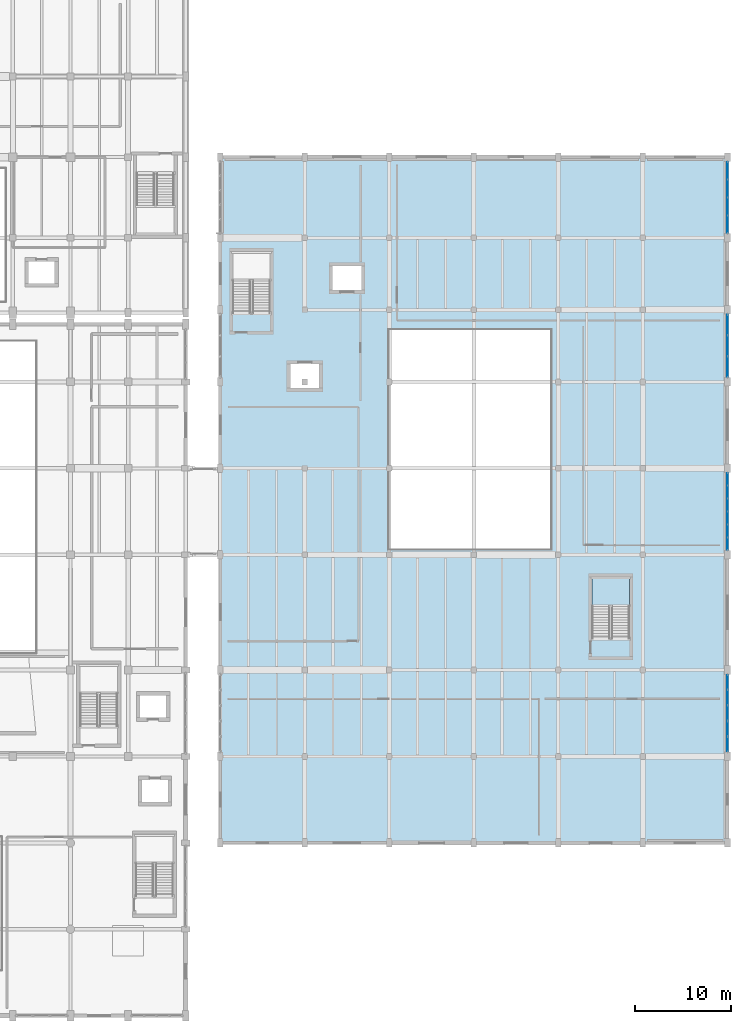
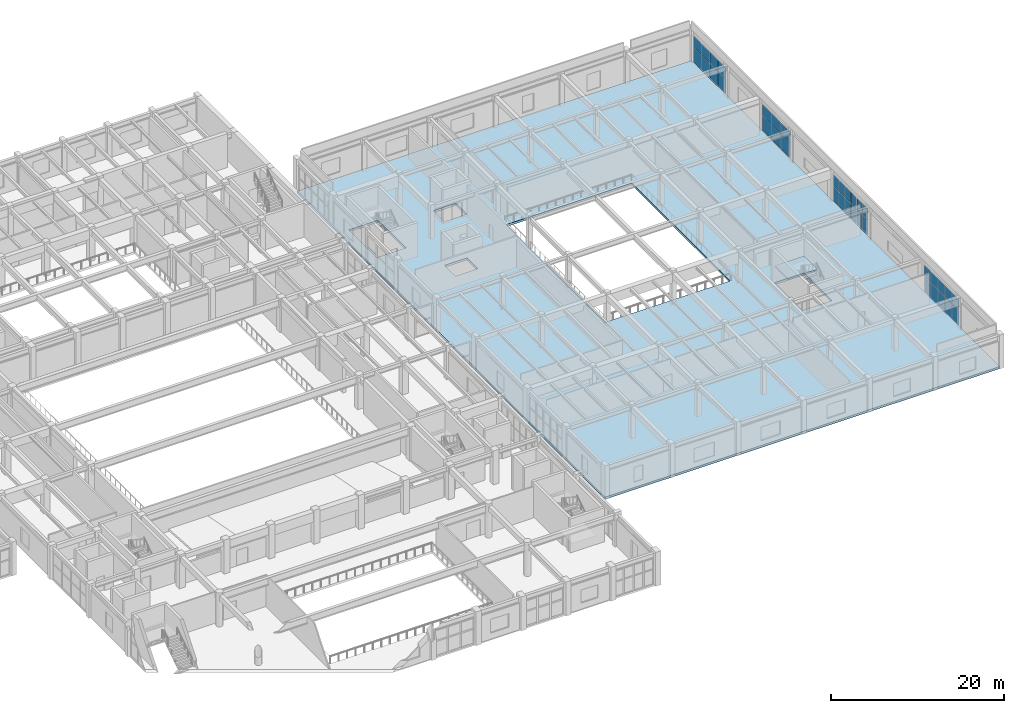
# One storey, part 66 of 96: 36 plates, 2 slabs, 5 elements without a shape of their own.
"""IFC4 building model written with IfcOpenShell, lengths in metres."""

from ifc_helpers import new_model, si_unit, direction, frame, origin, origin_2d, place, context, subcontext, project, spatial, polyline, rectangle, outline, extrude, material, layer, layer_set, type_object, element, aggregate, save


model = new_model("IFC4")

# Units and contexts
model_context = context("Model", 3, precision=1e-05, world=origin(), true_north=direction((0.0, 1.0)))
body_context = subcontext(model_context, "Body", "Model", "MODEL_VIEW")
ifc_project = project(units=[si_unit("LENGTHUNIT", "METRE"), si_unit("AREAUNIT", "SQUARE_METRE"), si_unit("VOLUMEUNIT", "CUBIC_METRE"), si_unit("PLANEANGLEUNIT", "RADIAN"), si_unit("MASSUNIT", "GRAM", prefix="KILO")], contexts=[model_context])

# Site, building, storey
site_placement = place(None, origin())
site = spatial("IfcSite", under=ifc_project, at=site_placement, CompositionType="ELEMENT")
building_placement = place(site_placement, origin())
building = spatial("IfcBuilding", under=site, at=building_placement, Name="Vaelkrest Opera House", CompositionType="ELEMENT")
storey_placement = place(building_placement, frame((0.0, 0.0, 5.39990234375)))
storey = spatial("IfcBuildingStorey", under=building, at=storey_placement, Name="L01", CompositionType="ELEMENT", Elevation=5.39990234375)

# Curtain wall, plates
ifc_material_1 = material(Name="Dark bronze anodized aluminium", Category="aluminium")
ifc_layer_1 = layer(ifc_material_1, 0.179931640625)
ifc_layer_set_1 = layer_set([ifc_layer_1], Name="Dark bronze anodized aluminium")
curtain_wall_type_1 = type_object("IfcCurtainWallType", Name="CW01", PredefinedType="NOTDEFINED", material=ifc_layer_set_1)
curtain_wall_1_placement = place(storey_placement, origin())
curtain_wall_1 = element("IfcCurtainWall", 1, at=curtain_wall_1_placement, inside=storey, type_object=curtain_wall_type_1, Name="Curtain wall CW-L01-159", PredefinedType="NOTDEFINED")
ifc_material_2 = material(Name="Double low-E insulated glazing", Category="glass")
ifc_layer_2 = layer(ifc_material_2, 0.02587890625)
ifc_layer_set_2 = layer_set([ifc_layer_2], Name="Double low-E insulated glazing")
plate_type_1 = type_object("IfcPlateType", Name="CWP01", PredefinedType="CURTAIN_PANEL", material=ifc_layer_set_2)
plate_1_placement = place(storey_placement, frame((86.39990234375, 0.060302734375, 0.06494140625), z_axis=(0.0, 0.0, 1.0), x_axis=(0.0, -1.0, 0.0)))
plate_1 = element("IfcPlate", 2, at=plate_1_placement, type_object=plate_type_1, Name="CW01 panel 1.1", PredefinedType="CURTAIN_PANEL", context=body_context, shape_type="SweptSolid", body=[
    extrude(rectangle(XDim=1.253173828125, YDim=0.02587890625, at=origin_2d()), origin(), (0.0, 0.0, 1.0), 2.052490234375),
])
plate_2_placement = place(storey_placement, frame((86.39990234375, 0.060302734375, 2.1826171875), z_axis=(0.0, 0.0, 1.0), x_axis=(0.0, -1.0, 0.0)))
plate_2 = element("IfcPlate", 3, at=plate_2_placement, type_object=plate_type_1, Name="CW01 panel 1.2", PredefinedType="CURTAIN_PANEL", context=body_context, shape_type="SweptSolid", body=[
    extrude(rectangle(XDim=1.253173828125, YDim=0.02587890625, at=origin_2d()), origin(), (0.0, 0.0, 1.0), 1.58154296875),
])
plate_3_placement = place(storey_placement, frame((86.39990234375, -1.27392578125, 0.06494140625), z_axis=(0.0, 0.0, 1.0), x_axis=(0.0, -1.0, 0.0)))
plate_3 = element("IfcPlate", 4, at=plate_3_placement, type_object=plate_type_1, Name="CW01 panel 2.1", PredefinedType="CURTAIN_PANEL", context=body_context, shape_type="SweptSolid", body=[
    extrude(rectangle(XDim=1.28564453125, YDim=0.02587890625, at=origin_2d()), origin(), (0.0, 0.0, 1.0), 2.052490234375),
])
plate_4_placement = place(storey_placement, frame((86.39990234375, -1.27392578125, 2.1826171875), z_axis=(0.0, 0.0, 1.0), x_axis=(0.0, -1.0, 0.0)))
plate_4 = element("IfcPlate", 5, at=plate_4_placement, type_object=plate_type_1, Name="CW01 panel 2.2", PredefinedType="CURTAIN_PANEL", context=body_context, shape_type="SweptSolid", body=[
    extrude(rectangle(XDim=1.28564453125, YDim=0.02587890625, at=origin_2d()), origin(), (0.0, 0.0, 1.0), 1.58154296875),
])
plate_5_placement = place(storey_placement, frame((86.39990234375, -2.624755859375, 0.06494140625), z_axis=(0.0, 0.0, 1.0), x_axis=(0.0, -1.0, 0.0)))
plate_5 = element("IfcPlate", 6, at=plate_5_placement, type_object=plate_type_1, Name="CW01 panel 3.1", PredefinedType="CURTAIN_PANEL", context=body_context, shape_type="SweptSolid", body=[
    extrude(rectangle(XDim=1.28564453125, YDim=0.02587890625, at=origin_2d()), origin(), (0.0, 0.0, 1.0), 2.052490234375),
])
plate_6_placement = place(storey_placement, frame((86.39990234375, -2.624755859375, 2.1826171875), z_axis=(0.0, 0.0, 1.0), x_axis=(0.0, -1.0, 0.0)))
plate_6 = element("IfcPlate", 7, at=plate_6_placement, type_object=plate_type_1, Name="CW01 panel 3.2", PredefinedType="CURTAIN_PANEL", context=body_context, shape_type="SweptSolid", body=[
    extrude(rectangle(XDim=1.28564453125, YDim=0.02587890625, at=origin_2d()), origin(), (0.0, 0.0, 1.0), 1.58154296875),
])
plate_7_placement = place(storey_placement, frame((86.39990234375, -3.975341796875, 0.06494140625), z_axis=(0.0, 0.0, 1.0), x_axis=(0.0, -1.0, 0.0)))
plate_7 = element("IfcPlate", 8, at=plate_7_placement, type_object=plate_type_1, Name="CW01 panel 4.1", PredefinedType="CURTAIN_PANEL", context=body_context, shape_type="SweptSolid", body=[
    extrude(rectangle(XDim=1.28564453125, YDim=0.02587890625, at=origin_2d()), origin(), (0.0, 0.0, 1.0), 2.052490234375),
])
plate_8_placement = place(storey_placement, frame((86.39990234375, -3.975341796875, 2.1826171875), z_axis=(0.0, 0.0, 1.0), x_axis=(0.0, -1.0, 0.0)))
plate_8 = element("IfcPlate", 9, at=plate_8_placement, type_object=plate_type_1, Name="CW01 panel 4.2", PredefinedType="CURTAIN_PANEL", context=body_context, shape_type="SweptSolid", body=[
    extrude(rectangle(XDim=1.28564453125, YDim=0.02587890625, at=origin_2d()), origin(), (0.0, 0.0, 1.0), 1.58154296875),
])
plate_9_placement = place(storey_placement, frame((86.39990234375, -5.325927734375, 0.06494140625), z_axis=(0.0, 0.0, 1.0), x_axis=(0.0, -1.0, 0.0)))
plate_9 = element("IfcPlate", 10, at=plate_9_placement, type_object=plate_type_1, Name="CW01 panel 5.1", PredefinedType="CURTAIN_PANEL", context=body_context, shape_type="SweptSolid", body=[
    extrude(rectangle(XDim=1.28564453125, YDim=0.02587890625, at=origin_2d()), origin(), (0.0, 0.0, 1.0), 2.052490234375),
])
plate_10_placement = place(storey_placement, frame((86.39990234375, -5.325927734375, 2.1826171875), z_axis=(0.0, 0.0, 1.0), x_axis=(0.0, -1.0, 0.0)))
plate_10 = element("IfcPlate", 11, at=plate_10_placement, type_object=plate_type_1, Name="CW01 panel 5.2", PredefinedType="CURTAIN_PANEL", context=body_context, shape_type="SweptSolid", body=[
    extrude(rectangle(XDim=1.28564453125, YDim=0.02587890625, at=origin_2d()), origin(), (0.0, 0.0, 1.0), 1.58154296875),
])
plate_11_placement = place(storey_placement, frame((86.39990234375, -6.660400390625, 0.06494140625), z_axis=(0.0, 0.0, 1.0), x_axis=(0.0, -1.0, 0.0)))
plate_11 = element("IfcPlate", 12, at=plate_11_placement, type_object=plate_type_1, Name="CW01 panel 6.1", PredefinedType="CURTAIN_PANEL", context=body_context, shape_type="SweptSolid", body=[
    extrude(rectangle(XDim=1.253173828125, YDim=0.02587890625, at=origin_2d()), origin(), (0.0, 0.0, 1.0), 2.052490234375),
])
plate_12_placement = place(storey_placement, frame((86.39990234375, -6.660400390625, 2.1826171875), z_axis=(0.0, 0.0, 1.0), x_axis=(0.0, -1.0, 0.0)))
plate_12 = element("IfcPlate", 13, at=plate_12_placement, type_object=plate_type_1, Name="CW01 panel 6.2", PredefinedType="CURTAIN_PANEL", context=body_context, shape_type="SweptSolid", body=[
    extrude(rectangle(XDim=1.253173828125, YDim=0.02587890625, at=origin_2d()), origin(), (0.0, 0.0, 1.0), 1.58154296875),
])
aggregate(curtain_wall_1, [plate_1, plate_2, plate_3, plate_4, plate_5, plate_6, plate_7, plate_8, plate_9, plate_10, plate_11, plate_12])

ifc_layer_3 = layer(ifc_material_1, 0.199951171875)
ifc_layer_set_3 = layer_set([ifc_layer_3], Name="Dark bronze anodized aluminium")
curtain_wall_type_2 = type_object("IfcCurtainWallType", Name="CW03", PredefinedType="NOTDEFINED", material=ifc_layer_set_3)
curtain_wall_2_placement = place(storey_placement, origin())
curtain_wall_2 = element("IfcCurtainWall", 14, at=curtain_wall_2_placement, inside=storey, type_object=curtain_wall_type_2, Name="Curtain wall CW-L01-160", PredefinedType="NOTDEFINED")
ifc_layer_4 = layer(ifc_material_2, 0.033935546875)
ifc_layer_set_4 = layer_set([ifc_layer_4], Name="Double low-E insulated glazing")
plate_type_2 = type_object("IfcPlateType", Name="CWP03", PredefinedType="CURTAIN_PANEL", material=ifc_layer_set_4)
plate_13_placement = place(storey_placement, frame((86.39990234375, -21.0771484375, 0.074951171875), z_axis=(0.0, 0.0, 1.0), x_axis=(0.0, -1.0, 0.0)))
plate_13 = element("IfcPlate", 15, at=plate_13_placement, type_object=plate_type_2, Name="CW03 panel 1.1", PredefinedType="CURTAIN_PANEL", context=body_context, shape_type="SweptSolid", body=[
    extrude(rectangle(XDim=1.50830078125, YDim=0.033935546875, at=origin_2d()), origin(), (0.0, 0.0, 1.0), 2.03759765625),
])
plate_14_placement = place(storey_placement, frame((86.39990234375, -21.0771484375, 2.187744140625), z_axis=(0.0, 0.0, 1.0), x_axis=(0.0, -1.0, 0.0)))
plate_14 = element("IfcPlate", 16, at=plate_14_placement, type_object=plate_type_2, Name="CW03 panel 1.2", PredefinedType="CURTAIN_PANEL", context=body_context, shape_type="SweptSolid", body=[
    extrude(rectangle(XDim=1.50830078125, YDim=0.033935546875, at=origin_2d()), origin(), (0.0, 0.0, 1.0), 1.56640625),
])
plate_15_placement = place(storey_placement, frame((86.39990234375, -22.67919921875, 0.074951171875), z_axis=(0.0, 0.0, 1.0), x_axis=(0.0, -1.0, 0.0)))
plate_15 = element("IfcPlate", 17, at=plate_15_placement, type_object=plate_type_2, Name="CW03 panel 2.1", PredefinedType="CURTAIN_PANEL", context=body_context, shape_type="SweptSolid", body=[
    extrude(rectangle(XDim=1.5458984375, YDim=0.033935546875, at=origin_2d()), origin(), (0.0, 0.0, 1.0), 2.03759765625),
])
plate_16_placement = place(storey_placement, frame((86.39990234375, -22.67919921875, 2.187744140625), z_axis=(0.0, 0.0, 1.0), x_axis=(0.0, -1.0, 0.0)))
plate_16 = element("IfcPlate", 18, at=plate_16_placement, type_object=plate_type_2, Name="CW03 panel 2.2", PredefinedType="CURTAIN_PANEL", context=body_context, shape_type="SweptSolid", body=[
    extrude(rectangle(XDim=1.5458984375, YDim=0.033935546875, at=origin_2d()), origin(), (0.0, 0.0, 1.0), 1.56640625),
])
plate_17_placement = place(storey_placement, frame((86.39990234375, -24.300048828125, 0.074951171875), z_axis=(0.0, 0.0, 1.0), x_axis=(0.0, -1.0, 0.0)))
plate_17 = element("IfcPlate", 19, at=plate_17_placement, type_object=plate_type_2, Name="CW03 panel 3.1", PredefinedType="CURTAIN_PANEL", context=body_context, shape_type="SweptSolid", body=[
    extrude(rectangle(XDim=1.5458984375, YDim=0.033935546875, at=origin_2d()), origin(), (0.0, 0.0, 1.0), 2.03759765625),
])
plate_18_placement = place(storey_placement, frame((86.39990234375, -24.300048828125, 2.187744140625), z_axis=(0.0, 0.0, 1.0), x_axis=(0.0, -1.0, 0.0)))
plate_18 = element("IfcPlate", 20, at=plate_18_placement, type_object=plate_type_2, Name="CW03 panel 3.2", PredefinedType="CURTAIN_PANEL", context=body_context, shape_type="SweptSolid", body=[
    extrude(rectangle(XDim=1.5458984375, YDim=0.033935546875, at=origin_2d()), origin(), (0.0, 0.0, 1.0), 1.56640625),
])
plate_19_placement = place(storey_placement, frame((86.39990234375, -25.9208984375, 0.074951171875), z_axis=(0.0, 0.0, 1.0), x_axis=(0.0, -1.0, 0.0)))
plate_19 = element("IfcPlate", 21, at=plate_19_placement, type_object=plate_type_2, Name="CW03 panel 4.1", PredefinedType="CURTAIN_PANEL", context=body_context, shape_type="SweptSolid", body=[
    extrude(rectangle(XDim=1.5458984375, YDim=0.033935546875, at=origin_2d()), origin(), (0.0, 0.0, 1.0), 2.03759765625),
])
plate_20_placement = place(storey_placement, frame((86.39990234375, -25.9208984375, 2.187744140625), z_axis=(0.0, 0.0, 1.0), x_axis=(0.0, -1.0, 0.0)))
plate_20 = element("IfcPlate", 22, at=plate_20_placement, type_object=plate_type_2, Name="CW03 panel 4.2", PredefinedType="CURTAIN_PANEL", context=body_context, shape_type="SweptSolid", body=[
    extrude(rectangle(XDim=1.5458984375, YDim=0.033935546875, at=origin_2d()), origin(), (0.0, 0.0, 1.0), 1.56640625),
])
plate_21_placement = place(storey_placement, frame((86.39990234375, -27.52294921875, 0.074951171875), z_axis=(0.0, 0.0, 1.0), x_axis=(0.0, -1.0, 0.0)))
plate_21 = element("IfcPlate", 23, at=plate_21_placement, type_object=plate_type_2, Name="CW03 panel 5.1", PredefinedType="CURTAIN_PANEL", context=body_context, shape_type="SweptSolid", body=[
    extrude(rectangle(XDim=1.50830078125, YDim=0.033935546875, at=origin_2d()), origin(), (0.0, 0.0, 1.0), 2.03759765625),
])
plate_22_placement = place(storey_placement, frame((86.39990234375, -27.52294921875, 2.187744140625), z_axis=(0.0, 0.0, 1.0), x_axis=(0.0, -1.0, 0.0)))
plate_22 = element("IfcPlate", 24, at=plate_22_placement, type_object=plate_type_2, Name="CW03 panel 5.2", PredefinedType="CURTAIN_PANEL", context=body_context, shape_type="SweptSolid", body=[
    extrude(rectangle(XDim=1.50830078125, YDim=0.033935546875, at=origin_2d()), origin(), (0.0, 0.0, 1.0), 1.56640625),
])
aggregate(curtain_wall_2, [plate_13, plate_14, plate_15, plate_16, plate_17, plate_18, plate_19, plate_20, plate_21, plate_22])

ifc_layer_5 = layer(ifc_material_1, 0.219970703125)
ifc_layer_set_5 = layer_set([ifc_layer_5], Name="Dark bronze anodized aluminium")
curtain_wall_type_3 = type_object("IfcCurtainWallType", Name="CW05", PredefinedType="NOTDEFINED", material=ifc_layer_set_5)
curtain_wall_3_placement = place(storey_placement, origin())
curtain_wall_3 = element("IfcCurtainWall", 25, at=curtain_wall_3_placement, inside=storey, type_object=curtain_wall_type_3, Name="Curtain wall CW-L01-157", PredefinedType="NOTDEFINED")
ifc_layer_6 = layer(ifc_material_2, 0.0419921875)
ifc_layer_set_6 = layer_set([ifc_layer_6], Name="Double low-E insulated glazing")
plate_type_3 = type_object("IfcPlateType", Name="CWP05", PredefinedType="CURTAIN_PANEL", material=ifc_layer_set_6)
plate_23_placement = place(storey_placement, frame((86.39990234375, 32.19775390625, 0.074951171875), z_axis=(0.0, 0.0, 1.0), x_axis=(0.0, -1.0, 0.0)))
plate_23 = element("IfcPlate", 26, at=plate_23_placement, type_object=plate_type_3, Name="CW05 panel 1.1", PredefinedType="CURTAIN_PANEL", context=body_context, shape_type="SweptSolid", body=[
    extrude(rectangle(XDim=1.778564453125, YDim=0.0419921875, at=origin_2d()), origin(), (0.0, 0.0, 1.0), 2.03759765625),
])
plate_24_placement = place(storey_placement, frame((86.39990234375, 32.19775390625, 2.187744140625), z_axis=(0.0, 0.0, 1.0), x_axis=(0.0, -1.0, 0.0)))
plate_24 = element("IfcPlate", 27, at=plate_24_placement, type_object=plate_type_3, Name="CW05 panel 1.2", PredefinedType="CURTAIN_PANEL", context=body_context, shape_type="SweptSolid", body=[
    extrude(rectangle(XDim=1.778564453125, YDim=0.0419921875, at=origin_2d()), origin(), (0.0, 0.0, 1.0), 1.56640625),
])
plate_25_placement = place(storey_placement, frame((86.39990234375, 30.337890625, 0.074951171875), z_axis=(0.0, 0.0, 1.0), x_axis=(0.0, -1.0, 0.0)))
plate_25 = element("IfcPlate", 28, at=plate_25_placement, type_object=plate_type_3, Name="CW05 panel 2.1", PredefinedType="CURTAIN_PANEL", context=body_context, shape_type="SweptSolid", body=[
    extrude(rectangle(XDim=1.81103515625, YDim=0.0419921875, at=origin_2d()), origin(), (0.0, 0.0, 1.0), 2.03759765625),
])
plate_26_placement = place(storey_placement, frame((86.39990234375, 30.337890625, 2.187744140625), z_axis=(0.0, 0.0, 1.0), x_axis=(0.0, -1.0, 0.0)))
plate_26 = element("IfcPlate", 29, at=plate_26_placement, type_object=plate_type_3, Name="CW05 panel 2.2", PredefinedType="CURTAIN_PANEL", context=body_context, shape_type="SweptSolid", body=[
    extrude(rectangle(XDim=1.81103515625, YDim=0.0419921875, at=origin_2d()), origin(), (0.0, 0.0, 1.0), 1.56640625),
])
plate_27_placement = place(storey_placement, frame((86.39990234375, 28.4619140625, 0.074951171875), z_axis=(0.0, 0.0, 1.0), x_axis=(0.0, -1.0, 0.0)))
plate_27 = element("IfcPlate", 30, at=plate_27_placement, type_object=plate_type_3, Name="CW05 panel 3.1", PredefinedType="CURTAIN_PANEL", context=body_context, shape_type="SweptSolid", body=[
    extrude(rectangle(XDim=1.81103515625, YDim=0.0419921875, at=origin_2d()), origin(), (0.0, 0.0, 1.0), 2.03759765625),
])
plate_28_placement = place(storey_placement, frame((86.39990234375, 28.4619140625, 2.187744140625), z_axis=(0.0, 0.0, 1.0), x_axis=(0.0, -1.0, 0.0)))
plate_28 = element("IfcPlate", 31, at=plate_28_placement, type_object=plate_type_3, Name="CW05 panel 3.2", PredefinedType="CURTAIN_PANEL", context=body_context, shape_type="SweptSolid", body=[
    extrude(rectangle(XDim=1.81103515625, YDim=0.0419921875, at=origin_2d()), origin(), (0.0, 0.0, 1.0), 1.56640625),
])
plate_29_placement = place(storey_placement, frame((86.39990234375, 26.602294921875, 0.074951171875), z_axis=(0.0, 0.0, 1.0), x_axis=(0.0, -1.0, 0.0)))
plate_29 = element("IfcPlate", 32, at=plate_29_placement, type_object=plate_type_3, Name="CW05 panel 4.1", PredefinedType="CURTAIN_PANEL", context=body_context, shape_type="SweptSolid", body=[
    extrude(rectangle(XDim=1.778564453125, YDim=0.0419921875, at=origin_2d()), origin(), (0.0, 0.0, 1.0), 2.03759765625),
])
plate_30_placement = place(storey_placement, frame((86.39990234375, 26.602294921875, 2.187744140625), z_axis=(0.0, 0.0, 1.0), x_axis=(0.0, -1.0, 0.0)))
plate_30 = element("IfcPlate", 33, at=plate_30_placement, type_object=plate_type_3, Name="CW05 panel 4.2", PredefinedType="CURTAIN_PANEL", context=body_context, shape_type="SweptSolid", body=[
    extrude(rectangle(XDim=1.778564453125, YDim=0.0419921875, at=origin_2d()), origin(), (0.0, 0.0, 1.0), 1.56640625),
])
aggregate(curtain_wall_3, [plate_23, plate_24, plate_25, plate_26, plate_27, plate_28, plate_29, plate_30])

ifc_layer_7 = layer(ifc_material_1, 0.239990234375)
ifc_layer_set_7 = layer_set([ifc_layer_7], Name="Dark bronze anodized aluminium")
curtain_wall_type_4 = type_object("IfcCurtainWallType", Name="CW07", PredefinedType="NOTDEFINED", material=ifc_layer_set_7)
curtain_wall_4_placement = place(storey_placement, origin())
curtain_wall_4 = element("IfcCurtainWall", 34, at=curtain_wall_4_placement, inside=storey, type_object=curtain_wall_type_4, Name="Curtain wall CW-L01-158", PredefinedType="NOTDEFINED")
ifc_material_3 = material(Name="Dark bronze anodized aluminium spandrel", Category="aluminium")
ifc_layer_8 = layer(ifc_material_3, 0.052001953125)
ifc_layer_set_8 = layer_set([ifc_layer_8], Name="Dark bronze anodized aluminium spandrel")
plate_type_4 = type_object("IfcPlateType", Name="CWP07", PredefinedType="CURTAIN_PANEL", material=ifc_layer_set_8)
plate_31_placement = place(storey_placement, frame((86.39990234375, 16.132568359375, 0.06494140625), z_axis=(0.0, 0.0, 1.0), x_axis=(0.0, -1.0, 0.0)))
plate_31 = element("IfcPlate", 35, at=plate_31_placement, type_object=plate_type_4, Name="CW07 panel 1.1", PredefinedType="CURTAIN_PANEL", context=body_context, shape_type="SweptSolid", body=[
    extrude(rectangle(XDim=2.0888671875, YDim=0.052001953125, at=origin_2d()), origin(), (0.0, 0.0, 1.0), 2.052490234375),
])
plate_32_placement = place(storey_placement, frame((86.39990234375, 16.132568359375, 2.1826171875), z_axis=(0.0, 0.0, 1.0), x_axis=(0.0, -1.0, 0.0)))
plate_32 = element("IfcPlate", 36, at=plate_32_placement, type_object=plate_type_4, Name="CW07 panel 1.2", PredefinedType="CURTAIN_PANEL", context=body_context, shape_type="SweptSolid", body=[
    extrude(rectangle(XDim=2.0888671875, YDim=0.052001953125, at=origin_2d()), origin(), (0.0, 0.0, 1.0), 1.58154296875),
])
plate_33_placement = place(storey_placement, frame((86.39990234375, 13.949951171875, 0.06494140625), z_axis=(0.0, 0.0, 1.0), x_axis=(0.0, -1.0, 0.0)))
plate_33 = element("IfcPlate", 37, at=plate_33_placement, type_object=plate_type_4, Name="CW07 panel 2.1", PredefinedType="CURTAIN_PANEL", context=body_context, shape_type="SweptSolid", body=[
    extrude(rectangle(XDim=2.126220703125, YDim=0.052001953125, at=origin_2d()), origin(), (0.0, 0.0, 1.0), 2.052490234375),
])
plate_34_placement = place(storey_placement, frame((86.39990234375, 13.949951171875, 2.1826171875), z_axis=(0.0, 0.0, 1.0), x_axis=(0.0, -1.0, 0.0)))
plate_34 = element("IfcPlate", 38, at=plate_34_placement, type_object=plate_type_4, Name="CW07 panel 2.2", PredefinedType="CURTAIN_PANEL", context=body_context, shape_type="SweptSolid", body=[
    extrude(rectangle(XDim=2.126220703125, YDim=0.052001953125, at=origin_2d()), origin(), (0.0, 0.0, 1.0), 1.58154296875),
])
plate_35_placement = place(storey_placement, frame((86.39990234375, 11.767333984375, 0.06494140625), z_axis=(0.0, 0.0, 1.0), x_axis=(0.0, -1.0, 0.0)))
plate_35 = element("IfcPlate", 39, at=plate_35_placement, type_object=plate_type_4, Name="CW07 panel 3.1", PredefinedType="CURTAIN_PANEL", context=body_context, shape_type="SweptSolid", body=[
    extrude(rectangle(XDim=2.0888671875, YDim=0.052001953125, at=origin_2d()), origin(), (0.0, 0.0, 1.0), 2.052490234375),
])
plate_36_placement = place(storey_placement, frame((86.39990234375, 11.767333984375, 2.1826171875), z_axis=(0.0, 0.0, 1.0), x_axis=(0.0, -1.0, 0.0)))
plate_36 = element("IfcPlate", 40, at=plate_36_placement, type_object=plate_type_4, Name="CW07 panel 3.2", PredefinedType="CURTAIN_PANEL", context=body_context, shape_type="SweptSolid", body=[
    extrude(rectangle(XDim=2.0888671875, YDim=0.052001953125, at=origin_2d()), origin(), (0.0, 0.0, 1.0), 1.58154296875),
])
aggregate(curtain_wall_4, [plate_31, plate_32, plate_33, plate_34, plate_35, plate_36])

# Slab
ifc_material_4 = material(Name="Concrete C40/50", Category="concrete")
ifc_layer_9 = layer(ifc_material_4, 0.304931640625)
ifc_layer_set_9 = layer_set([ifc_layer_9], Name="Concrete C40/50")
slab_type_1 = type_object("IfcSlabType", Name="FS04", PredefinedType="FLOOR", material=ifc_layer_set_9)
slab_1_placement = place(storey_placement, frame((0.0, 0.0, -0.304931640625)))
element("IfcSlab", 41, at=slab_1_placement, inside=storey, type_object=slab_type_1, Name="Floor slab SLB-V4-L01-028", PredefinedType="FLOOR", context=body_context, shape_type="SweptSolid", body=[
    extrude(outline(polyline([(33.60009765625, -37.800048828125), (86.39990234375, -37.800048828125), (86.39990234375, 33.60009765625), (33.60009765625, 33.60009765625), (33.60009765625, -37.800048828125)]), holes=[polyline([(51.199951171875, -7.199951171875), (68.0, -7.199951171875), (68.0, 15.60009765625), (51.199951171875, 15.60009765625), (51.199951171875, -7.199951171875)]), polyline([(38.800048828125, 17.35009765625), (38.800048828125, 23.800048828125), (34.89990234375, 23.800048828125), (34.89990234375, 17.35009765625), (38.800048828125, 17.35009765625)]), polyline([(76.199951171875, -16.550048828125), (76.199951171875, -10.10009765625), (72.300048828125, -10.10009765625), (72.300048828125, -16.550048828125), (76.199951171875, -16.550048828125)]), polyline([(40.89990234375, 9.550048828125), (43.89990234375, 9.550048828125), (43.89990234375, 12.050048828125), (40.89990234375, 12.050048828125), (40.89990234375, 9.550048828125)]), polyline([(45.300048828125, 19.75), (48.300048828125, 19.75), (48.300048828125, 22.25), (45.300048828125, 22.25), (45.300048828125, 19.75)])]), origin(), (0.0, 0.0, 1.0), 0.304931640625),
])

# Stair, slab
stair_type = type_object("IfcStairType", Name="ST10", PredefinedType="TWO_STRAIGHT_RUN_STAIR", material=ifc_material_4)
stair_placement = place(storey_placement, origin())
stair = element("IfcStair", 42, at=stair_placement, inside=storey, type_object=stair_type, Name="L01 Protected exit stair ST10", PredefinedType="TWO_STRAIGHT_RUN_STAIR")
ifc_layer_10 = layer(ifc_material_4, 0.199951171875)
ifc_layer_set_10 = layer_set([ifc_layer_10], Name="Concrete C40/50")
slab_type_2 = type_object("IfcSlabType", Name="SLD01", PredefinedType="LANDING", material=ifc_layer_set_10)
slab_2_placement = place(storey_placement, frame((0.0, 0.0, 2.2001953125)))
slab_2 = element("IfcSlab", 43, at=slab_2_placement, type_object=slab_type_2, Name="ST10 landing 1", PredefinedType="LANDING", context=body_context, shape_type="SweptSolid", body=[
    extrude(outline(polyline([(76.199951171875, -13.18994140625), (76.199951171875, -10.10009765625), (72.300048828125, -10.10009765625), (72.300048828125, -13.18994140625), (76.199951171875, -13.18994140625)])), origin(), (0.0, 0.0, 1.0), 0.199951171875),
])
aggregate(stair, [slab_2])

save(model, "model.ifc")
